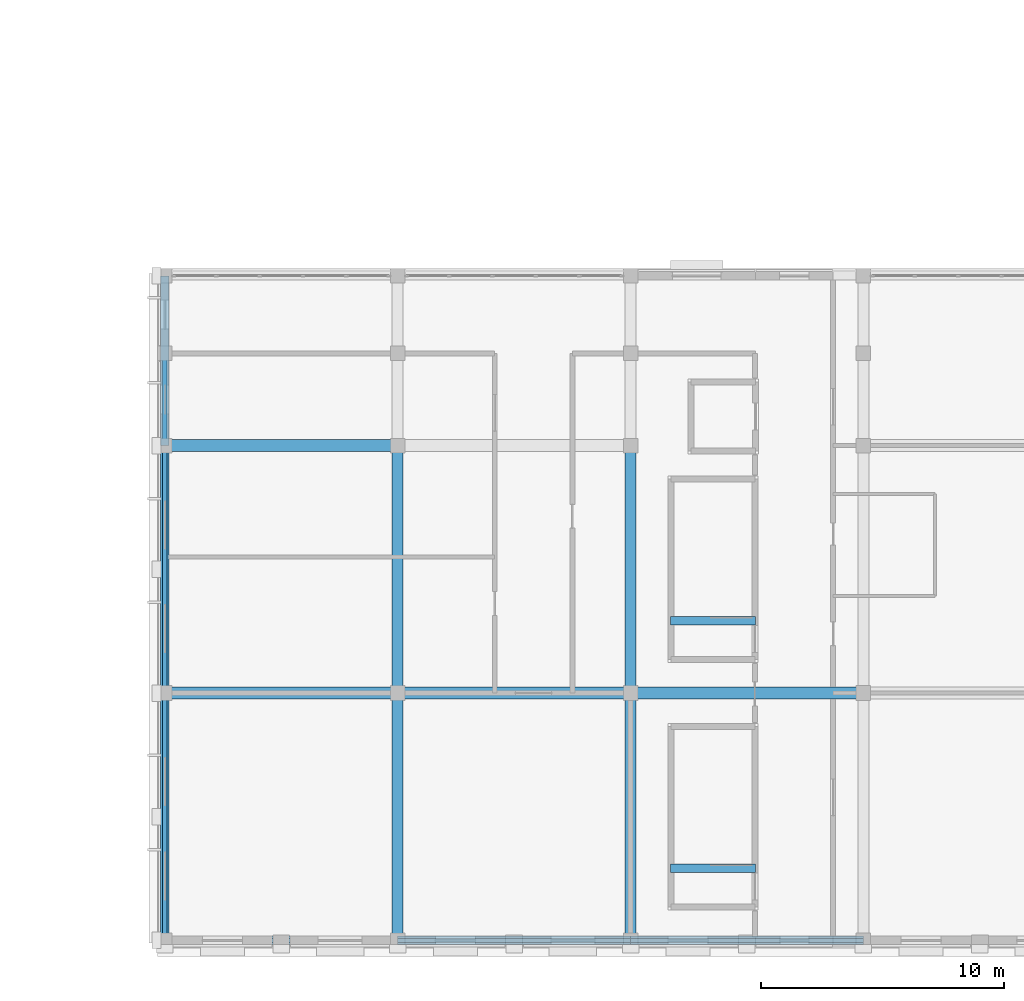
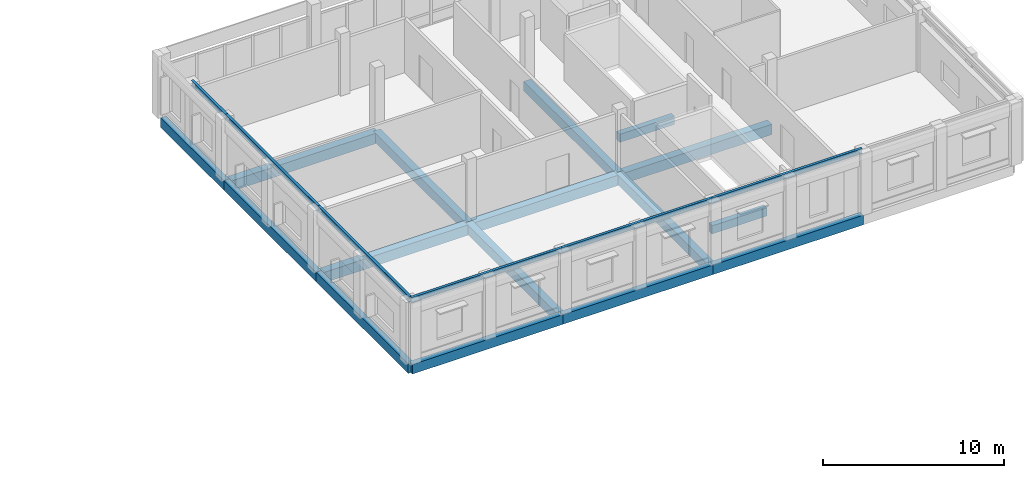
# One storey, part 56 of 93: 22 beams.
"""IFC4 building model written with IfcOpenShell, lengths in metres."""

from ifc_helpers import new_model, si_unit, direction, frame, origin, origin_2d, place, context, subcontext, project, spatial, rectangle, i_section, extrude, material, material_profile, profile_set, type_object, element, save


model = new_model("IFC4")

# Units and contexts
model_context = context("Model", 3, precision=1e-05, world=origin(), true_north=direction((0.0, 1.0)))
body_context = subcontext(model_context, "Body", "Model", "MODEL_VIEW")
ifc_project = project(units=[si_unit("LENGTHUNIT", "METRE"), si_unit("AREAUNIT", "SQUARE_METRE"), si_unit("VOLUMEUNIT", "CUBIC_METRE"), si_unit("PLANEANGLEUNIT", "RADIAN"), si_unit("MASSUNIT", "GRAM", prefix="KILO")], contexts=[model_context])

# Site, building, storey
site_placement = place(None, origin())
site = spatial("IfcSite", under=ifc_project, at=site_placement, CompositionType="ELEMENT")
building_placement = place(site_placement, origin())
building = spatial("IfcBuilding", under=site, at=building_placement, Name="Vondelvale Polytechnic", CompositionType="ELEMENT")
storey_placement = place(building_placement, frame((0.0, 0.0, 18.0)))
storey = spatial("IfcBuildingStorey", under=building, at=storey_placement, Name="L04", CompositionType="ELEMENT", Elevation=18.0)

# Beams
ifc_material_1 = material(Name="Concrete N40 (f'c = 40 MPa)", Category="concrete")
ifc_material_profile_1 = material_profile(ifc_material_1, rectangle(XDim=0.35009765625, YDim=0.550048828125, at=origin_2d()), Name="RC-BM-350x550")
ifc_profile_set_1 = profile_set([ifc_material_profile_1], Name="Concrete N40 (f'c = 40 MPa)")
beam_type_1 = type_object("IfcBeamType", Name="BM-RC350x550", PredefinedType="BEAM", material=ifc_profile_set_1)
for number, where, z_axis, x_axis, name in (
    (1, (158.75, 2.97509765625, -0.27490234375), (-1.0, 0.0, 0.0), (0.0, -1.0, 0.0), "L04 STHD B-06"),
    (2, (158.75, 13.175048828125, -0.27490234375), (-1.0, 0.0, 0.0), (0.0, -1.0, 0.0), "L04 STHD B-06"),
):
    element("IfcBeam", number, at=place(storey_placement, frame(where, z_axis=z_axis, x_axis=x_axis)), inside=storey, type_object=beam_type_1, Name=name, PredefinedType="BEAM", context=body_context, shape_type="SweptSolid", body=[
        extrude(rectangle(XDim=0.35009765625, YDim=0.550048828125, at=origin_2d()), origin(), (0.0, 0.0, 1.0), 3.5),
    ])
ifc_material_profile_2 = material_profile(ifc_material_1, rectangle(XDim=0.449951171875, YDim=0.64990234375, at=origin_2d()), Name="RC-BM-450x650")
ifc_profile_set_2 = profile_set([ifc_material_profile_2], Name="Concrete N40 (f'c = 40 MPa)")
beam_type_2 = type_object("IfcBeamType", Name="BM-RC450x650", PredefinedType="BEAM", material=ifc_profile_set_2)
for number, where, z_axis, x_axis, name in (
    (3, (144.0, 0.0, -0.574951171875), (0.0, 1.0, 0.0), (-1.0, 0.0, 0.0), "L04 B B-04"),
    (4, (144.0, 10.199951171875, -0.574951171875), (0.0, 1.0, 0.0), (-1.0, 0.0, 0.0), "L04 B B-04"),
    (5, (153.60009765625, 0.0, -0.574951171875), (0.0, 1.0, 0.0), (-1.0, 0.0, 0.0), "L04 B B-04"),
    (6, (153.60009765625, 10.199951171875, -0.574951171875), (0.0, 1.0, 0.0), (-1.0, 0.0, 0.0), "L04 B B-04"),
):
    element("IfcBeam", number, at=place(storey_placement, frame(where, z_axis=z_axis, x_axis=x_axis)), inside=storey, type_object=beam_type_2, Name=name, PredefinedType="BEAM", context=body_context, shape_type="SweptSolid", body=[
        extrude(rectangle(XDim=0.449951171875, YDim=0.64990234375, at=origin_2d()), origin(), (0.0, 0.0, 1.0), 10.199951171875),
    ])
ifc_material_profile_3 = material_profile(ifc_material_1, rectangle(XDim=0.5, YDim=0.699951171875, at=origin_2d()), Name="RC-BM-500x700")
ifc_profile_set_3 = profile_set([ifc_material_profile_3], Name="Concrete N40 (f'c = 40 MPa)")
beam_type_3 = type_object("IfcBeamType", Name="BM-RC500x700", PredefinedType="BEAM", material=ifc_profile_set_3)
for number, where, z_axis, x_axis, name in (
    (7, (134.39990234375, 10.199951171875, -0.60009765625), (1.0, 0.0, 0.0), (0.0, 1.0, 0.0), "L04 B B-03"),
    (8, (144.0, 10.199951171875, -0.60009765625), (1.0, 0.0, 0.0), (0.0, 1.0, 0.0), "L04 B B-03"),
):
    element("IfcBeam", number, at=place(storey_placement, frame(where, z_axis=z_axis, x_axis=x_axis)), inside=storey, type_object=beam_type_3, Name=name, PredefinedType="BEAM", context=body_context, shape_type="SweptSolid", body=[
        extrude(rectangle(XDim=0.5, YDim=0.699951171875, at=origin_2d()), origin(), (0.0, 0.0, 1.0), 9.60009765625),
    ])
beam_1_placement = place(storey_placement, frame((153.60009765625, 10.199951171875, -0.60009765625), z_axis=(1.0, 0.0, 0.0), x_axis=(0.0, 1.0, 0.0)))
element("IfcBeam", 9, at=beam_1_placement, inside=storey, type_object=beam_type_3, Name="L04 B B-03", PredefinedType="BEAM", context=body_context, shape_type="SweptSolid", body=[
    extrude(rectangle(XDim=0.5, YDim=0.699951171875, at=origin_2d()), origin(), (0.0, 0.0, 1.0), 9.599853515625),
])
beam_2_placement = place(storey_placement, frame((134.39990234375, 20.39990234375, -0.60009765625), z_axis=(1.0, 0.0, 0.0), x_axis=(0.0, 1.0, 0.0)))
element("IfcBeam", 10, at=beam_2_placement, inside=storey, type_object=beam_type_3, Name="L04 B B-03", PredefinedType="BEAM", context=body_context, shape_type="SweptSolid", body=[
    extrude(rectangle(XDim=0.5, YDim=0.699951171875, at=origin_2d()), origin(), (0.0, 0.0, 1.0), 9.60009765625),
])
ifc_material_2 = material(Name="Steel 300PLUS (fy = 300 MPa)", Category="steel")
ifc_material_profile_4 = material_profile(ifc_material_2, i_section(OverallWidth=0.172119140625, OverallDepth=0.35888671875, WebThickness=0.008056640625, FlangeThickness=0.012939453125, FilletRadius=0.011474609375, at=origin_2d()), Name="360UB56.7")
ifc_profile_set_4 = profile_set([ifc_material_profile_4], Name="Steel 300PLUS (fy = 300 MPa)")
beam_type_4 = type_object("IfcBeamType", Name="BM-UB360H", PredefinedType="BEAM", material=ifc_profile_set_4)
for number, where, z_axis, x_axis, name in (
    (11, (134.39990234375, 0.0, 4.0205078125), (1.0, 0.0, 0.0), (0.0, 1.0, 0.0), "L04 RE B-15"),
    (12, (144.0, 0.0, 4.0205078125), (1.0, 0.0, 0.0), (0.0, 1.0, 0.0), "L04 RE B-15"),
):
    element("IfcBeam", number, at=place(storey_placement, frame(where, z_axis=z_axis, x_axis=x_axis)), inside=storey, type_object=beam_type_4, Name=name, PredefinedType="BEAM", context=body_context, shape_type="SweptSolid", body=[
        extrude(i_section(OverallWidth=0.172119140625, OverallDepth=0.35888671875, WebThickness=0.008056640625, FlangeThickness=0.012939453125, FilletRadius=0.011474609375, at=origin_2d()), origin(), (0.0, 0.0, 1.0), 9.60009765625),
    ])
beam_3_placement = place(storey_placement, frame((153.60009765625, 0.0, 4.0205078125), z_axis=(1.0, 0.0, 0.0), x_axis=(0.0, 1.0, 0.0)))
element("IfcBeam", 13, at=beam_3_placement, inside=storey, type_object=beam_type_4, Name="L04 RE B-15", PredefinedType="BEAM", context=body_context, shape_type="SweptSolid", body=[
    extrude(i_section(OverallWidth=0.172119140625, OverallDepth=0.35888671875, WebThickness=0.008056640625, FlangeThickness=0.012939453125, FilletRadius=0.011474609375, at=origin_2d()), origin(), (0.0, 0.0, 1.0), 9.599853515625),
])
for number, where, z_axis, x_axis, name in (
    (14, (134.39990234375, 0.0, 4.0205078125), (0.0, 1.0, 0.0), (-1.0, 0.0, 0.0), "L04 RE B-15"),
    (15, (134.39990234375, 10.199951171875, 4.0205078125), (0.0, 1.0, 0.0), (-1.0, 0.0, 0.0), "L04 RE B-15"),
):
    element("IfcBeam", number, at=place(storey_placement, frame(where, z_axis=z_axis, x_axis=x_axis)), inside=storey, type_object=beam_type_4, Name=name, PredefinedType="BEAM", context=body_context, shape_type="SweptSolid", body=[
        extrude(i_section(OverallWidth=0.172119140625, OverallDepth=0.35888671875, WebThickness=0.008056640625, FlangeThickness=0.012939453125, FilletRadius=0.011474609375, at=origin_2d()), origin(), (0.0, 0.0, 1.0), 10.199951171875),
    ])
beam_4_placement = place(storey_placement, frame((134.39990234375, 20.39990234375, 4.0205078125), z_axis=(0.0, 1.0, 0.0), x_axis=(-1.0, 0.0, 0.0)))
element("IfcBeam", 16, at=beam_4_placement, inside=storey, type_object=beam_type_4, Name="L04 RE B-15", PredefinedType="BEAM", context=body_context, shape_type="SweptSolid", body=[
    extrude(i_section(OverallWidth=0.172119140625, OverallDepth=0.35888671875, WebThickness=0.008056640625, FlangeThickness=0.012939453125, FilletRadius=0.011474609375, at=origin_2d()), origin(), (0.0, 0.0, 1.0), 3.800048828125),
])
ifc_material_3 = material(Name="Precast concrete N40 (f'c = 40 MPa)", Category="concrete")
ifc_material_profile_5 = material_profile(ifc_material_3, rectangle(XDim=0.35009765625, YDim=0.64990234375, at=origin_2d()), Name="RC-SPN-350x650")
ifc_profile_set_5 = profile_set([ifc_material_profile_5], Name="Precast concrete N40 (f'c = 40 MPa)")
beam_type_5 = type_object("IfcBeamType", Name="SPN-PRE350x650", PredefinedType="SPANDREL", material=ifc_profile_set_5)
for number, where, z_axis, x_axis, name in (
    (17, (134.39990234375, 0.0, -0.574951171875), (1.0, 0.0, 0.0), (0.0, 1.0, 0.0), "L04 B SP-02"),
    (18, (144.0, 0.0, -0.574951171875), (1.0, 0.0, 0.0), (0.0, 1.0, 0.0), "L04 B SP-02"),
):
    element("IfcBeam", number, at=place(storey_placement, frame(where, z_axis=z_axis, x_axis=x_axis)), inside=storey, type_object=beam_type_5, Name=name, PredefinedType="SPANDREL", context=body_context, shape_type="SweptSolid", body=[
        extrude(rectangle(XDim=0.35009765625, YDim=0.64990234375, at=origin_2d()), origin(), (0.0, 0.0, 1.0), 9.60009765625),
    ])
beam_5_placement = place(storey_placement, frame((153.60009765625, 0.0, -0.574951171875), z_axis=(1.0, 0.0, 0.0), x_axis=(0.0, 1.0, 0.0)))
element("IfcBeam", 19, at=beam_5_placement, inside=storey, type_object=beam_type_5, Name="L04 B SP-02", PredefinedType="SPANDREL", context=body_context, shape_type="SweptSolid", body=[
    extrude(rectangle(XDim=0.35009765625, YDim=0.64990234375, at=origin_2d()), origin(), (0.0, 0.0, 1.0), 9.599853515625),
])
for number, where, z_axis, x_axis, name in (
    (20, (134.39990234375, 0.0, -0.574951171875), (0.0, 1.0, 0.0), (-1.0, 0.0, 0.0), "L04 B SP-02"),
    (21, (134.39990234375, 10.199951171875, -0.574951171875), (0.0, 1.0, 0.0), (-1.0, 0.0, 0.0), "L04 B SP-02"),
):
    element("IfcBeam", number, at=place(storey_placement, frame(where, z_axis=z_axis, x_axis=x_axis)), inside=storey, type_object=beam_type_5, Name=name, PredefinedType="SPANDREL", context=body_context, shape_type="SweptSolid", body=[
        extrude(rectangle(XDim=0.35009765625, YDim=0.64990234375, at=origin_2d()), origin(), (0.0, 0.0, 1.0), 10.199951171875),
    ])
beam_6_placement = place(storey_placement, frame((134.39990234375, 20.39990234375, -0.574951171875), z_axis=(0.0, 1.0, 0.0), x_axis=(-1.0, 0.0, 0.0)))
element("IfcBeam", 22, at=beam_6_placement, inside=storey, type_object=beam_type_5, Name="L04 B SP-02", PredefinedType="SPANDREL", context=body_context, shape_type="SweptSolid", body=[
    extrude(rectangle(XDim=0.35009765625, YDim=0.64990234375, at=origin_2d()), origin(), (0.0, 0.0, 1.0), 7.0),
])

save(model, "model.ifc")
